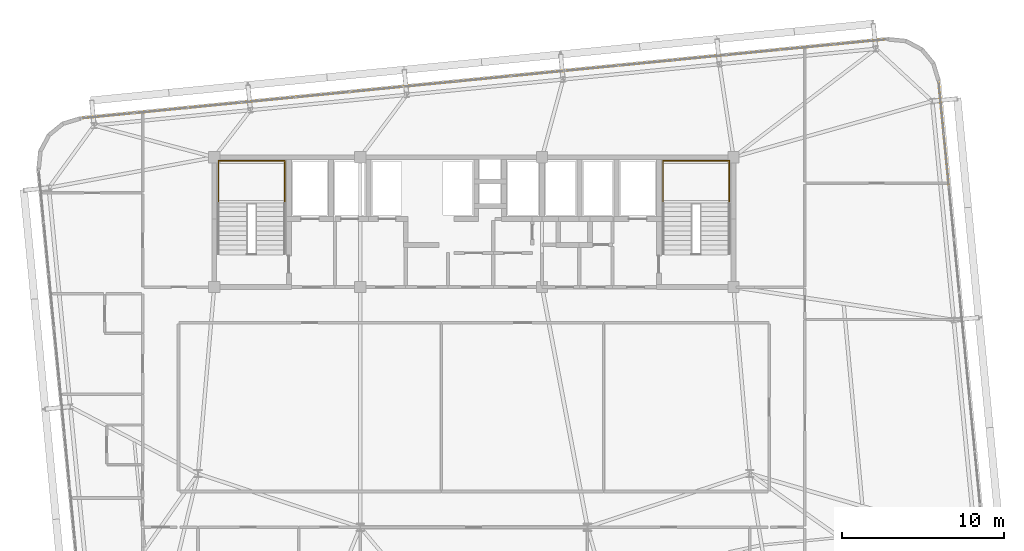
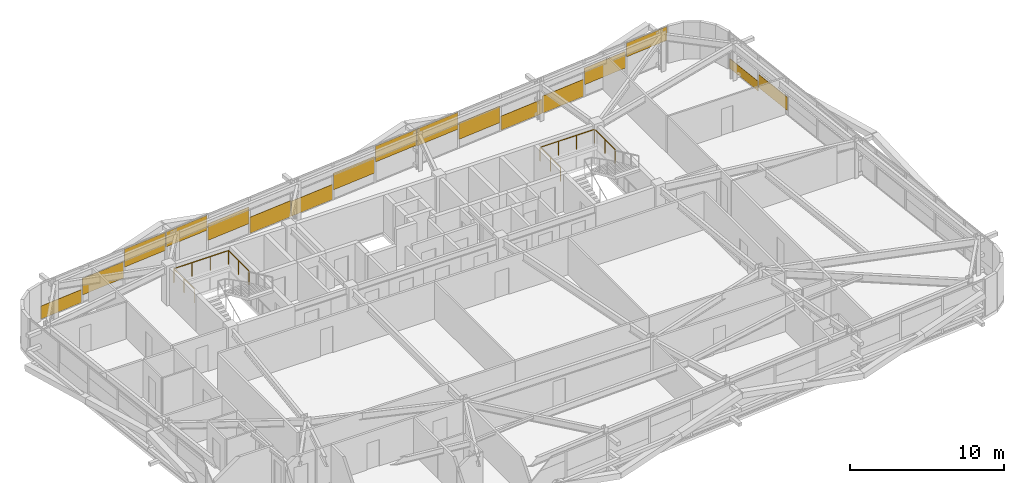
# One storey, part 53 of 53: 17 coverings, 2 railings.
"""IFC4 building model written with IfcOpenShell, lengths in metres."""

from ifc_helpers import new_model, si_unit, direction, frame, origin, origin_2d, place, context, subcontext, project, spatial, rectangle, extrude, source, transform, mapped, material, layer, layer_set, type_object, element, save


model = new_model("IFC4")

# Units and contexts
model_context = context("Model", 3, precision=1e-05, world=origin(), true_north=direction((0.0, 1.0)))
body_context = subcontext(model_context, "Body", "Model", "MODEL_VIEW")
ifc_project = project(units=[si_unit("LENGTHUNIT", "METRE"), si_unit("AREAUNIT", "SQUARE_METRE"), si_unit("VOLUMEUNIT", "CUBIC_METRE"), si_unit("PLANEANGLEUNIT", "RADIAN"), si_unit("MASSUNIT", "GRAM", prefix="KILO")], contexts=[model_context])

# Site, building, storey
site_placement = place(None, origin())
site = spatial("IfcSite", under=ifc_project, at=site_placement, CompositionType="ELEMENT")
building_placement = place(site_placement, origin())
building = spatial("IfcBuilding", under=site, at=building_placement, Name="Taldren Reach Tower", CompositionType="ELEMENT")
storey_placement = place(building_placement, frame((0.0, 0.0, 80.85009765625)))
storey = spatial("IfcBuildingStorey", under=building, at=storey_placement, Name="L24", CompositionType="ELEMENT", Elevation=80.85009765625)

# Railings
ifc_material_1 = material(Name="Steel Gr 350 (C350L0)", Category="steel")
ifc_layer_1 = layer(ifc_material_1, 0.050048828125)
ifc_layer_set_1 = layer_set([ifc_layer_1], Name="Steel Gr 350 (C350L0)")
railing_type = type_object("IfcRailingType", Name="RL-STAIR-GR", PredefinedType="GUARDRAIL", material=ifc_layer_set_1)
for number, where, name in (
    (1, (19.260009765625, 29.135009765625, 1.574951171875), "Stair half-landing perimeter guard ST1-L24"),
    (2, (46.659912109375, 29.135009765625, 1.574951171875), "Stair half-landing perimeter guard ST2-L24"),
):
    element("IfcRailing", number, at=place(storey_placement, frame(where)), inside=storey, type_object=railing_type, Name=name, PredefinedType="GUARDRAIL", context=body_context, shape_type="SweptSolid", body=[
        extrude(rectangle(XDim=0.047852, YDim=0.047852, at=origin_2d()), frame((0.0, 0.0, 1.09619140625), z_axis=(0.0, 1.0, 0.0), x_axis=(-1.0, 0.0, 0.0)), (0.0, 0.0, 1.0), 2.64501953125),
        extrude(rectangle(XDim=0.047852, YDim=0.047852, at=origin_2d()), frame((0.0, 2.64501953125, 1.09619140625), z_axis=(1.0, 0.0, 0.0), x_axis=(0.0, 1.0, 0.0)), (0.0, 0.0, 1.0), 4.080078125),
        extrude(rectangle(XDim=0.047852, YDim=0.047852, at=origin_2d()), frame((4.080078125, 2.64501953125, 1.09619140625), z_axis=(0.0, -1.0, 0.0), x_axis=(1.0, 0.0, 0.0)), (0.0, 0.0, 1.0), 2.64501953125),
        extrude(rectangle(XDim=0.041992, YDim=0.041992, at=origin_2d()), origin(), (0.0, 0.0, 1.0), 1.072021484375),
        extrude(rectangle(XDim=0.041992, YDim=0.041992, at=origin_2d()), frame((0.0, 1.322509765625, 0.0)), (0.0, 0.0, 1.0), 1.072021484375),
        extrude(rectangle(XDim=0.041992, YDim=0.041992, at=origin_2d()), frame((0.0, 2.64501953125, 0.0)), (0.0, 0.0, 1.0), 1.072021484375),
        extrude(rectangle(XDim=0.041992, YDim=0.041992, at=origin_2d()), frame((1.360107421875, 2.64501953125, 0.0)), (0.0, 0.0, 1.0), 1.072021484375),
        extrude(rectangle(XDim=0.041992, YDim=0.041992, at=origin_2d()), frame((2.719970703125, 2.64501953125, 0.0)), (0.0, 0.0, 1.0), 1.072021484375),
        extrude(rectangle(XDim=0.041992, YDim=0.041992, at=origin_2d()), frame((4.080078125, 2.64501953125, 0.0)), (0.0, 0.0, 1.0), 1.072021484375),
        extrude(rectangle(XDim=0.041992, YDim=0.041992, at=origin_2d()), frame((4.080078125, 1.322509765625, 0.0)), (0.0, 0.0, 1.0), 1.072021484375),
        extrude(rectangle(XDim=0.041992, YDim=0.041992, at=origin_2d()), frame((4.080078125, 0.0, 0.0)), (0.0, 0.0, 1.0), 1.072021484375),
    ])

# Coverings
ifc_material_2 = material(Name="Pale Champagne Fluoropolymer Aluminium Spandrel Cladding", Category="aluminium")
ifc_layer_2 = layer(ifc_material_2, 0.0439453125)
ifc_layer_set_2 = layer_set([ifc_layer_2], Name="Pale Champagne Fluoropolymer Aluminium Spandrel Cladding")
covering_type = type_object("IfcCoveringType", Name="CV-CLAD-044", PredefinedType="CLADDING", material=ifc_layer_set_2)
shared_shape_1 = source(origin(), body_context, "Body", "SweptSolid", [
    extrude(rectangle(XDim=3.23583984375, YDim=0.0439453125, at=origin_2d()), origin(), (0.0, 0.0, 1.0), 1.094970703125),
])
covering_1_placement = place(storey_placement, frame((58.83740234375, 39.101318359375, 1.77978515625), z_axis=(0.0, 0.0, 1.0), x_axis=(-0.995227390247, -0.097582999046, 0.0)))
element("IfcCovering", 3, at=covering_1_placement, inside=storey, type_object=covering_type, Name="Diagrid closure cladding strip CW-3 panel 1.1 1", PredefinedType="CLADDING", context=body_context, shape_type="MappedRepresentation", body=[
    mapped(shared_shape_1, transform((0.0, 0.0, 0.0), scale=1.0)),
])
shared_shape_2 = source(origin(), body_context, "Body", "SweptSolid", [
    extrude(rectangle(XDim=3.268310546875, YDim=0.0439453125, at=origin_2d()), origin(), (0.0, 0.0, 1.0), 1.3046875),
])
for number, where, z_axis, x_axis, name in (
    (4, (55.5361328125, 38.777587890625, 0.943115234375), (0.0, 0.0, 1.0), (-0.995227390247, -0.097582999046, 0.0), "Diagrid closure cladding strip CW-3 panel 2.1 1"),
    (5, (45.583740234375, 37.8017578125, 0.7021484375), (0.0, 0.0, 1.0), (-0.995227390247, -0.097582999046, 0.0), "Diagrid closure cladding strip CW-3 panel 5.1 1"),
    (6, (35.631591796875, 36.825927734375, 0.782470703125), (0.0, 0.0, 1.0), (-0.995227390247, -0.097582999046, 0.0), "Diagrid closure cladding strip CW-3 panel 8.1 1"),
    (7, (25.67919921875, 35.85009765625, 0.86279296875), (0.0, 0.0, 1.0), (-0.995227390247, -0.097582999046, 0.0), "Diagrid closure cladding strip CW-3 panel 11.1 1"),
    (8, (15.72705078125, 34.874267578125, 0.621826171875), (0.0, 0.0, 1.0), (-0.995227390247, -0.097582999046, 0.0), "Diagrid closure cladding strip CW-3 panel 14.1 1"),
):
    element("IfcCovering", number, at=place(storey_placement, frame(where, z_axis=z_axis, x_axis=x_axis)), inside=storey, type_object=covering_type, Name=name, PredefinedType="CLADDING", context=body_context, shape_type="MappedRepresentation", body=[
        mapped(shared_shape_2, transform((0.0, 0.0, 0.0), scale=1.0)),
    ])
shared_shape_3 = source(origin(), body_context, "Body", "SweptSolid", [
    extrude(rectangle(XDim=3.268310546875, YDim=0.0439453125, at=origin_2d()), origin(), (0.0, 0.0, 1.0), 1.356201171875),
])
covering_2_placement = place(storey_placement, frame((52.21875, 38.452392578125, 0.0546875), z_axis=(0.0, 0.0, 1.0), x_axis=(-0.995227390247, -0.097582999046, 0.0)))
element("IfcCovering", 9, at=covering_2_placement, inside=storey, type_object=covering_type, Name="Diagrid closure cladding strip CW-3 panel 3.1 1", PredefinedType="CLADDING", context=body_context, shape_type="MappedRepresentation", body=[
    mapped(shared_shape_3, transform((0.0, 0.0, 0.0), scale=1.0)),
])
shared_shape_4 = source(origin(), body_context, "Body", "SweptSolid", [
    extrude(rectangle(XDim=3.268310546875, YDim=0.0439453125, at=origin_2d()), origin(), (0.0, 0.0, 1.0), 1.115234375),
])
covering_3_placement = place(storey_placement, frame((48.9013671875, 38.126953125, 0.054931640625), z_axis=(0.0, 0.0, 1.0), x_axis=(-0.995227390247, -0.097582999046, 0.0)))
element("IfcCovering", 10, at=covering_3_placement, inside=storey, type_object=covering_type, Name="Diagrid closure cladding strip CW-3 panel 4.1 1", PredefinedType="CLADDING", context=body_context, shape_type="MappedRepresentation", body=[
    mapped(shared_shape_4, transform((0.0, 0.0, 0.0), scale=1.0)),
])
shared_shape_5 = source(origin(), body_context, "Body", "SweptSolid", [
    extrude(rectangle(XDim=3.268310546875, YDim=0.0439453125, at=origin_2d()), origin(), (0.0, 0.0, 1.0), 1.3359375),
])
covering_4_placement = place(storey_placement, frame((42.266357421875, 37.4765625, 1.5390625), z_axis=(0.0, 0.0, 1.0), x_axis=(-0.995227390247, -0.097582999046, 0.0)))
element("IfcCovering", 11, at=covering_4_placement, inside=storey, type_object=covering_type, Name="Diagrid closure cladding strip CW-3 panel 6.1 1", PredefinedType="CLADDING", context=body_context, shape_type="MappedRepresentation", body=[
    mapped(shared_shape_5, transform((0.0, 0.0, 0.0), scale=1.0)),
])
shared_shape_6 = source(origin(), body_context, "Body", "SweptSolid", [
    extrude(rectangle(XDim=3.268310546875, YDim=0.0439453125, at=origin_2d()), origin(), (0.0, 0.0, 1.0), 1.255615234375),
])
covering_5_placement = place(storey_placement, frame((38.948974609375, 37.151123046875, 1.619140625), z_axis=(0.0, 0.0, 1.0), x_axis=(-0.995227390247, -0.097582999046, 0.0)))
element("IfcCovering", 12, at=covering_5_placement, inside=storey, type_object=covering_type, Name="Diagrid closure cladding strip CW-3 panel 7.1 1", PredefinedType="CLADDING", context=body_context, shape_type="MappedRepresentation", body=[
    mapped(shared_shape_6, transform((0.0, 0.0, 0.0), scale=1.0)),
])
shared_shape_7 = source(origin(), body_context, "Body", "SweptSolid", [
    extrude(rectangle(XDim=3.268310546875, YDim=0.0439453125, at=origin_2d()), origin(), (0.0, 0.0, 1.0), 1.195556640625),
])
covering_6_placement = place(storey_placement, frame((32.314208984375, 36.500732421875, 0.0546875), z_axis=(0.0, 0.0, 1.0), x_axis=(-0.995227390247, -0.097582999046, 0.0)))
element("IfcCovering", 13, at=covering_6_placement, inside=storey, type_object=covering_type, Name="Diagrid closure cladding strip CW-3 panel 9.1 1", PredefinedType="CLADDING", context=body_context, shape_type="MappedRepresentation", body=[
    mapped(shared_shape_7, transform((0.0, 0.0, 0.0), scale=1.0)),
])
shared_shape_8 = source(origin(), body_context, "Body", "SweptSolid", [
    extrude(rectangle(XDim=3.268310546875, YDim=0.0439453125, at=origin_2d()), origin(), (0.0, 0.0, 1.0), 1.27587890625),
])
covering_7_placement = place(storey_placement, frame((28.996826171875, 36.17529296875, 0.054931640625), z_axis=(0.0, 0.0, 1.0), x_axis=(-0.995227390247, -0.097582999046, 0.0)))
element("IfcCovering", 14, at=covering_7_placement, inside=storey, type_object=covering_type, Name="Diagrid closure cladding strip CW-3 panel 10.1 1", PredefinedType="CLADDING", context=body_context, shape_type="MappedRepresentation", body=[
    mapped(shared_shape_8, transform((0.0, 0.0, 0.0), scale=1.0)),
])
shared_shape_9 = source(origin(), body_context, "Body", "SweptSolid", [
    extrude(rectangle(XDim=3.268310546875, YDim=0.0439453125, at=origin_2d()), origin(), (0.0, 0.0, 1.0), 1.17529296875),
])
covering_8_placement = place(storey_placement, frame((22.36181640625, 35.52490234375, 1.69970703125), z_axis=(0.0, 0.0, 1.0), x_axis=(-0.995227390247, -0.097582999046, 0.0)))
element("IfcCovering", 15, at=covering_8_placement, inside=storey, type_object=covering_type, Name="Diagrid closure cladding strip CW-3 panel 12.1 1", PredefinedType="CLADDING", context=body_context, shape_type="MappedRepresentation", body=[
    mapped(shared_shape_9, transform((0.0, 0.0, 0.0), scale=1.0)),
])
shared_shape_10 = source(origin(), body_context, "Body", "SweptSolid", [
    extrude(rectangle(XDim=3.268310546875, YDim=0.0439453125, at=origin_2d()), origin(), (0.0, 0.0, 1.0), 1.416259765625),
])
covering_9_placement = place(storey_placement, frame((19.04443359375, 35.199462890625, 1.45849609375), z_axis=(0.0, 0.0, 1.0), x_axis=(-0.995227390247, -0.097582999046, 0.0)))
element("IfcCovering", 16, at=covering_9_placement, inside=storey, type_object=covering_type, Name="Diagrid closure cladding strip CW-3 panel 13.1 1", PredefinedType="CLADDING", context=body_context, shape_type="MappedRepresentation", body=[
    mapped(shared_shape_10, transform((0.0, 0.0, 0.0), scale=1.0)),
])
shared_shape_11 = source(origin(), body_context, "Body", "SweptSolid", [
    extrude(rectangle(XDim=3.23583984375, YDim=0.0439453125, at=origin_2d()), origin(), (0.0, 0.0, 1.0), 1.034912109375),
])
covering_10_placement = place(storey_placement, frame((12.42578125, 34.550537109375, 0.0546875), z_axis=(0.0, 0.0, 1.0), x_axis=(-0.995227390247, -0.097582999046, 0.0)))
element("IfcCovering", 17, at=covering_10_placement, inside=storey, type_object=covering_type, Name="Diagrid closure cladding strip CW-3 panel 15.1 1", PredefinedType="CLADDING", context=body_context, shape_type="MappedRepresentation", body=[
    mapped(shared_shape_11, transform((0.0, 0.0, 0.0), scale=1.0)),
])
shared_shape_12 = source(origin(), body_context, "Body", "SweptSolid", [
    extrude(rectangle(XDim=3.212890625, YDim=0.0439453125, at=origin_2d()), origin(), (0.0, 0.0, 1.0), 1.053466796875),
])
covering_11_placement = place(storey_placement, frame((64.117431640625, 31.80517578125, 0.35986328125), z_axis=(0.0, 0.0, 1.0), x_axis=(-0.09758274098, 0.99522741555, 0.0)))
element("IfcCovering", 18, at=covering_11_placement, inside=storey, type_object=covering_type, Name="Diagrid closure cladding strip CW-3 panel 8.1 1", PredefinedType="CLADDING", context=body_context, shape_type="MappedRepresentation", body=[
    mapped(shared_shape_12, transform((0.0, 0.0, 0.0), scale=1.0)),
])
shared_shape_13 = source(origin(), body_context, "Body", "SweptSolid", [
    extrude(rectangle(XDim=3.18017578125, YDim=0.0439453125, at=origin_2d()), origin(), (0.0, 0.0, 1.0), 0.7705078125),
])
covering_12_placement = place(storey_placement, frame((63.79931640625, 35.051025390625, 0.054931640625), z_axis=(0.0, 0.0, 1.0), x_axis=(-0.09758274098, 0.99522741555, 0.0)))
element("IfcCovering", 19, at=covering_12_placement, inside=storey, type_object=covering_type, Name="Diagrid closure cladding strip CW-3 panel 9.1 1", PredefinedType="CLADDING", context=body_context, shape_type="MappedRepresentation", body=[
    mapped(shared_shape_13, transform((0.0, 0.0, 0.0), scale=1.0)),
])

save(model, "model.ifc")
